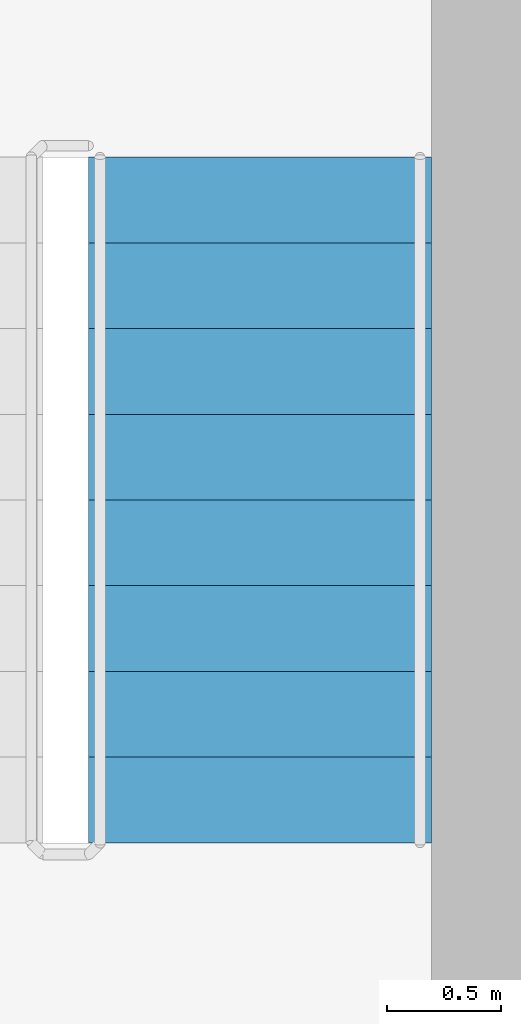
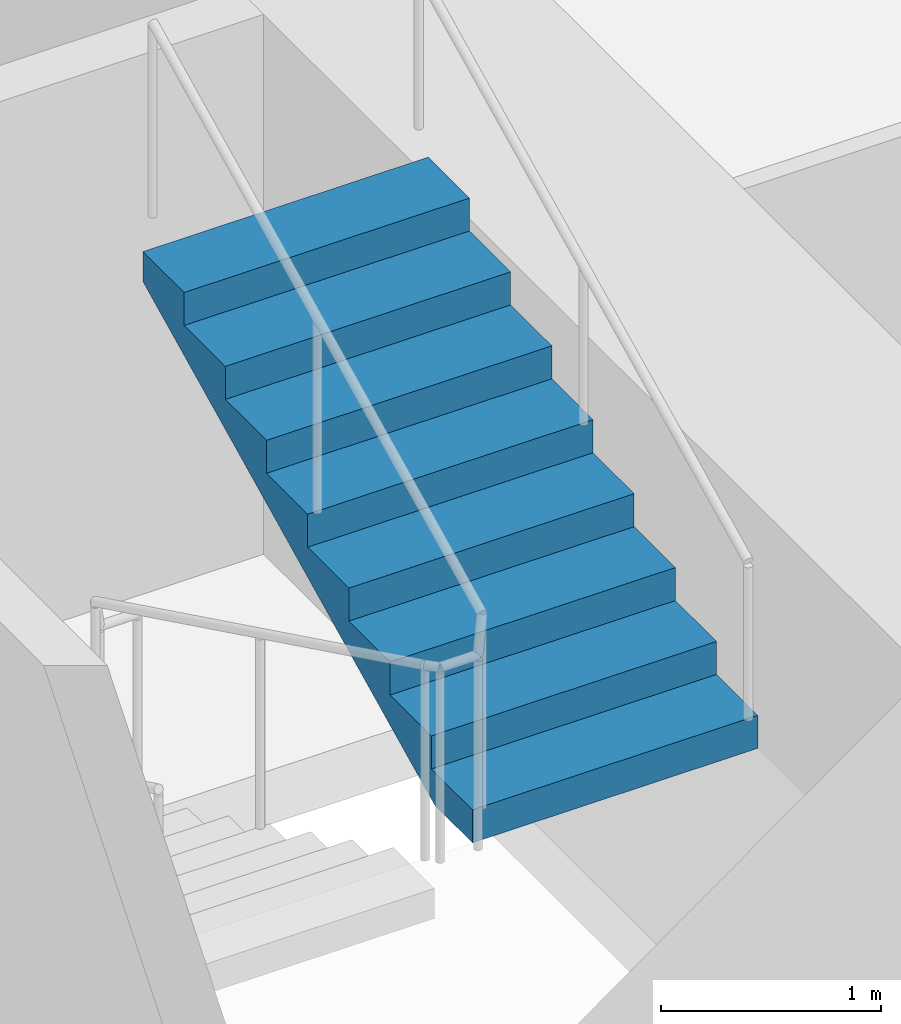
# One storey, part 14 of 16: 1 stair flight, 1 element without a shape of its own.
"""IFC4 building model written with IfcOpenShell, lengths in metres."""

from ifc_helpers import new_model, si_unit, direction, frame, origin, place, context, subcontext, project, spatial, polyline, outline, extrude, material, type_object, element, aggregate, save


model = new_model("IFC4")

# Units and contexts
model_context = context("Model", 3, precision=1e-05, world=origin(), true_north=direction((0.0, 1.0)))
body_context = subcontext(model_context, "Body", "Model", "MODEL_VIEW")
ifc_project = project(units=[si_unit("LENGTHUNIT", "METRE"), si_unit("AREAUNIT", "SQUARE_METRE"), si_unit("VOLUMEUNIT", "CUBIC_METRE"), si_unit("PLANEANGLEUNIT", "RADIAN"), si_unit("MASSUNIT", "GRAM", prefix="KILO")], contexts=[model_context])

# Site, building, storey
site_placement = place(None, origin())
site = spatial("IfcSite", under=ifc_project, at=site_placement, CompositionType="ELEMENT")
building_placement = place(site_placement, origin())
building = spatial("IfcBuilding", under=site, at=building_placement, Name="Tabaq Tower and Sports Hall", CompositionType="ELEMENT")
storey_placement = place(building_placement, frame((0.0, 0.0, 268.60009765625)))
storey = spatial("IfcBuildingStorey", under=building, at=storey_placement, Name="L65", CompositionType="ELEMENT", Elevation=268.60009765625)

# Stair, stair flight
ifc_material_1 = material(Name="Concrete C40/50", Category="concrete")
stair_type = type_object("IfcStairType", Name="Exit stair", PredefinedType="HALF_TURN_STAIR", material=ifc_material_1)
stair_placement = place(storey_placement, origin())
stair = element("IfcStair", 1, at=stair_placement, inside=storey, type_object=stair_type, Name="L65 Exit stair ST3", PredefinedType="HALF_TURN_STAIR")
ifc_material_2 = material(Name="Concrete C40/50", Category="concrete")
stair_flight_type = type_object("IfcStairFlightType", Name="Exit stair flight", PredefinedType="STRAIGHT", material=ifc_material_2)
stair_flight_placement = place(storey_placement, frame((41.25, 18.60009765625, 1.64990234375), z_axis=(0.0, 0.0, 1.0), x_axis=(0.0, 1.0, 0.0)))
stair_flight = element("IfcStairFlight", 2, at=stair_flight_placement, type_object=stair_flight_type, Name="ST3 flight 2", NumberOfRisers=9, NumberOfTreads=8, PredefinedType="STRAIGHT", RiserHeight=0.183333333, TreadLength=0.375, context=body_context, shape_type="SweptSolid", body=[
    extrude(outline(polyline([(0.0, 0.0), (0.0, 0.183349609375), (0.375, 0.183349609375), (0.375, 0.36669921875), (0.75, 0.36669921875), (0.75, 0.550048828125), (1.125, 0.550048828125), (1.125, 0.7333984375), (1.5, 0.7333984375), (1.5, 0.916748046875), (1.875, 0.916748046875), (1.875, 1.10009765625), (2.25, 1.10009765625), (2.25, 1.283447265625), (2.625, 1.283447265625), (2.625, 1.466552734375), (3.0, 1.466552734375), (3.0, 1.64990234375), (3.0, 1.2998046875), (0.34130859375, 0.0), (0.0, 0.0)])), frame((0.0, 0.75, 0.0), z_axis=(0.0, -1.0, 0.0), x_axis=(1.0, 0.0, 0.0)), (0.0, 0.0, 1.0), 1.5),
])
aggregate(stair, [stair_flight])

save(model, "model.ifc")
